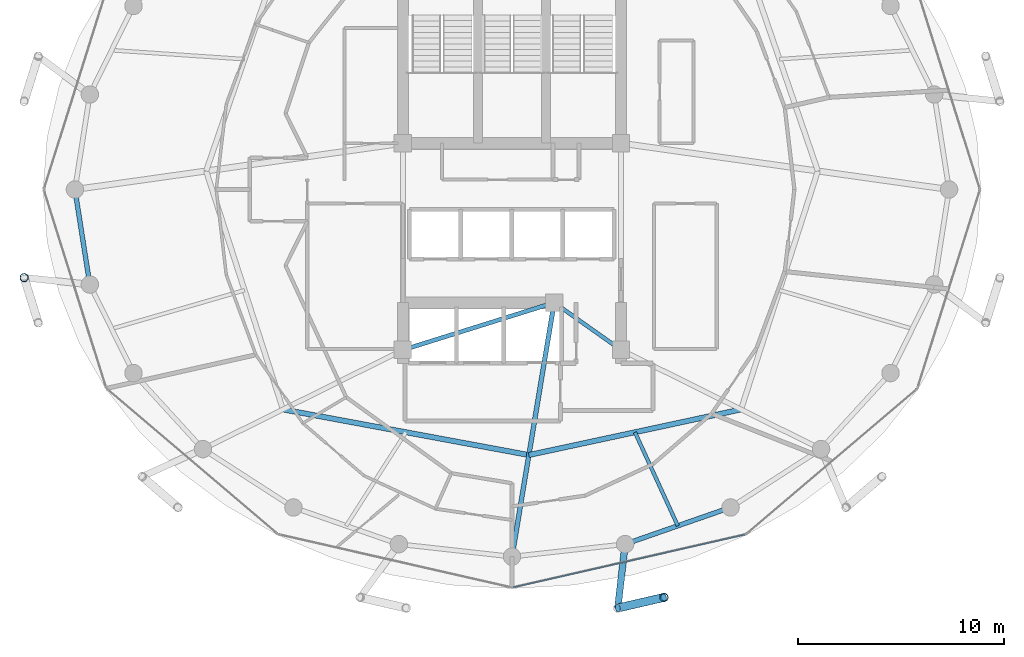
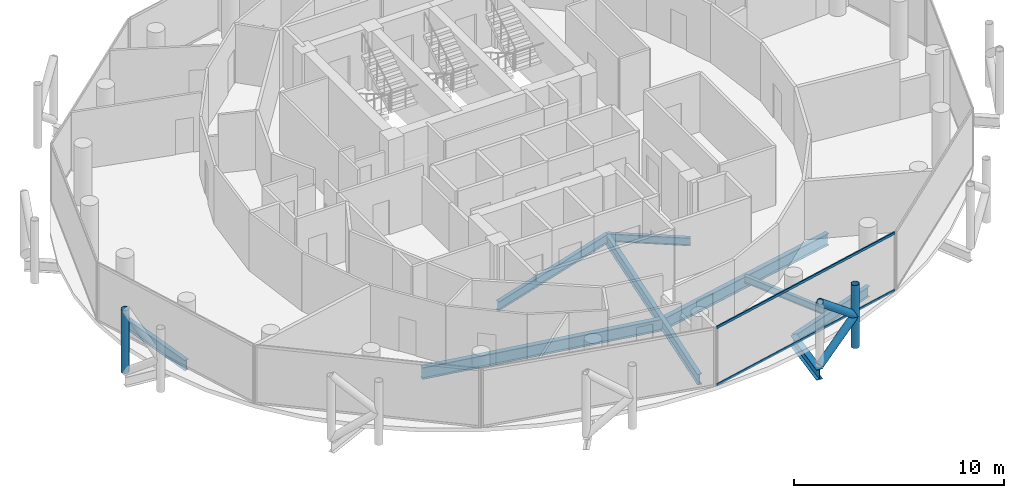
# One storey, part 6 of 27: 9 beams, 6 members, 1 element without a shape of its own.
"""IFC4 building model written with IfcOpenShell, lengths in metres."""

from ifc_helpers import new_model, si_unit, direction, frame, origin, origin_2d, place, context, subcontext, project, spatial, hollow_rectangle, hollow_circle, i_section, extrude, material, layer, layer_set, material_profile, profile_set, type_object, element, aggregate, save


model = new_model("IFC4")

# Units and contexts
model_context = context("Model", 3, precision=1e-05, world=origin(), true_north=direction((0.0, 1.0)))
body_context = subcontext(model_context, "Body", "Model", "MODEL_VIEW")
ifc_project = project(units=[si_unit("LENGTHUNIT", "METRE"), si_unit("AREAUNIT", "SQUARE_METRE"), si_unit("VOLUMEUNIT", "CUBIC_METRE"), si_unit("PLANEANGLEUNIT", "RADIAN"), si_unit("MASSUNIT", "GRAM", prefix="KILO")], contexts=[model_context])

# Site, building, storey
site_placement = place(None, origin())
site = spatial("IfcSite", under=ifc_project, at=site_placement, CompositionType="ELEMENT")
building_placement = place(site_placement, origin())
building = spatial("IfcBuilding", under=site, at=building_placement, Name="Nuhasar Tower", CompositionType="ELEMENT")
storey_placement = place(building_placement, frame((0.0, 0.0, 251.949951171875)))
storey = spatial("IfcBuildingStorey", under=building, at=storey_placement, Name="L62", CompositionType="ELEMENT", Elevation=251.949951171875)

# Beams
ifc_material_1 = material(Name="Steel S355", Category="steel")
ifc_material_profile_1 = material_profile(ifc_material_1, i_section(OverallWidth=0.25390625, OverallDepth=0.68408203125, WebThickness=0.012451171875, FlangeThickness=0.018798828125, at=origin_2d()), Name="W27X94")
ifc_profile_set_1 = profile_set([ifc_material_profile_1], Name="Steel S355")
beam_type_1 = type_object("IfcBeamType", Name="BM-INRING-W27X94", PredefinedType="BEAM", material=ifc_profile_set_1)
beam_1_placement = place(storey_placement, frame((27.864013671875, 16.10693359375, -0.58203125), z_axis=(0.983238439987, -0.182324354193, 0.0), x_axis=(0.182324354193, 0.983238439987, 0.0)))
element("IfcBeam", 1, at=beam_1_placement, inside=storey, type_object=beam_type_1, Name="L62 Inner Header Beam 01", PredefinedType="BEAM", context=body_context, shape_type="SweptSolid", body=[
    extrude(i_section(OverallWidth=0.25390625, OverallDepth=0.68408203125, WebThickness=0.012451171875, FlangeThickness=0.018798828125, at=origin_2d()), origin(), (0.0, 0.0, 1.0), 12.159912109375),
])
beam_2_placement = place(storey_placement, frame((39.820068359375, 13.889892578125, -0.58203125), z_axis=(0.977676275959, 0.210116870876, 0.0), x_axis=(-0.210116870876, 0.977676275959, 0.0)))
element("IfcBeam", 2, at=beam_2_placement, inside=storey, type_object=beam_type_1, Name="L62 Inner Header Beam 02", PredefinedType="BEAM", context=body_context, shape_type="SweptSolid", body=[
    extrude(i_section(OverallWidth=0.25390625, OverallDepth=0.68408203125, WebThickness=0.012451171875, FlangeThickness=0.018798828125, at=origin_2d()), origin(), (0.0, 0.0, 1.0), 10.551513671875),
])
ifc_material_profile_2 = material_profile(ifc_material_1, i_section(OverallWidth=0.177978515625, OverallDepth=0.406005859375, WebThickness=0.0078125, FlangeThickness=0.0126953125, at=origin_2d()), Name="W16X40")
ifc_profile_set_2 = profile_set([ifc_material_profile_2], Name="Steel S355")
beam_type_2 = type_object("IfcBeamType", Name="BM-JST-W16X40", PredefinedType="JOIST", material=ifc_profile_set_2)
beam_3_placement = place(storey_placement, frame((44.97802734375, 14.998046875, -0.44287109375), z_axis=(0.416562288184, -0.909107177434, 0.0), x_axis=(0.909107177434, 0.416562288184, 0.0)))
element("IfcBeam", 3, at=beam_3_placement, inside=storey, type_object=beam_type_2, Name="L62 Secondary Floor Joist 02", PredefinedType="JOIST", context=body_context, shape_type="SweptSolid", body=[
    extrude(i_section(OverallWidth=0.177978515625, OverallDepth=0.406005859375, WebThickness=0.0078125, FlangeThickness=0.0126953125, at=origin_2d()), origin(), (0.0, 0.0, 1.0), 5.0029296875),
])
ifc_material_profile_3 = material_profile(ifc_material_1, i_section(OverallWidth=0.18994140625, OverallDepth=0.45703125, WebThickness=0.009033203125, FlangeThickness=0.014404296875, at=origin_2d()), Name="W18X50")
ifc_profile_set_3 = profile_set([ifc_material_profile_3], Name="Steel S355")
beam_type_3 = type_object("IfcBeamType", Name="BM-RAD-W18X50", PredefinedType="BEAM", material=ifc_profile_set_3)
beam_4_placement = place(storey_placement, frame((41.050048828125, 21.300048828125, -0.468017578125), z_axis=(0.816265428953, -0.577677028708, 0.0), x_axis=(0.577677028708, 0.816265428953, 0.0)))
element("IfcBeam", 4, at=beam_4_placement, inside=storey, type_object=beam_type_3, Name="L62 Core Ring Girder 2", PredefinedType="BEAM", context=body_context, shape_type="SweptSolid", body=[
    extrude(i_section(OverallWidth=0.18994140625, OverallDepth=0.45703125, WebThickness=0.009033203125, FlangeThickness=0.014404296875, at=origin_2d()), origin(), (0.0, 0.0, 1.0), 3.9814453125),
])
ifc_material_profile_4 = material_profile(ifc_material_1, i_section(OverallWidth=0.208984375, OverallDepth=0.528076171875, WebThickness=0.009521484375, FlangeThickness=0.01318359375, at=origin_2d()), Name="W21X55")
ifc_profile_set_4 = profile_set([ifc_material_profile_4], Name="Steel S355")
beam_type_4 = type_object("IfcBeamType", Name="BM-RAD-W21X55", PredefinedType="BEAM", material=ifc_profile_set_4)
beam_5_placement = place(storey_placement, frame((33.699951171875, 19.0, -0.50390625), z_axis=(0.954363709454, 0.298646798205, 0.0), x_axis=(-0.298646798205, 0.954363709454, 0.0)))
element("IfcBeam", 5, at=beam_5_placement, inside=storey, type_object=beam_type_4, Name="L62 Core Ring Girder 1", PredefinedType="BEAM", context=body_context, shape_type="SweptSolid", body=[
    extrude(i_section(OverallWidth=0.208984375, OverallDepth=0.528076171875, WebThickness=0.009521484375, FlangeThickness=0.01318359375, at=origin_2d()), origin(), (0.0, 0.0, 1.0), 7.70166015625),
])
ifc_material_profile_5 = material_profile(ifc_material_1, i_section(OverallWidth=0.22900390625, OverallDepth=0.612060546875, WebThickness=0.011962890625, FlangeThickness=0.01953125, at=origin_2d()), Name="W24X84")
ifc_profile_set_5 = profile_set([ifc_material_profile_5], Name="Steel S355")
beam_type_5 = type_object("IfcBeamType", Name="BM-RAD-W24X84", PredefinedType="BEAM", material=ifc_profile_set_5)
beam_6_placement = place(storey_placement, frame((41.050048828125, 21.300048828125, -0.5458984375), z_axis=(-0.163753822517, -0.98650123447, 0.0), x_axis=(0.98650123447, -0.163753822517, 0.0)))
element("IfcBeam", 6, at=beam_6_placement, inside=storey, type_object=beam_type_5, Name="L62 Radial Floor Girder 02", PredefinedType="BEAM", context=body_context, shape_type="SweptSolid", body=[
    extrude(i_section(OverallWidth=0.22900390625, OverallDepth=0.612060546875, WebThickness=0.011962890625, FlangeThickness=0.01953125, at=origin_2d()), origin(), (0.0, 0.0, 1.0), 12.51904296875),
])
ifc_material_profile_6 = material_profile(ifc_material_1, i_section(OverallWidth=0.22802734375, OverallDepth=0.60791015625, WebThickness=0.01123046875, FlangeThickness=0.017333984375, at=origin_2d()), Name="W24X76")
ifc_profile_set_6 = profile_set([ifc_material_profile_6], Name="Steel S355")
beam_type_6 = type_object("IfcBeamType", Name="BM-RING-W24X76", PredefinedType="SPANDREL", material=ifc_profile_set_6)
beam_7_placement = place(storey_placement, frame((17.75, 26.800048828125, -0.5439453125), z_axis=(0.154841886404, -0.987939264436, 0.0), x_axis=(0.987939264436, 0.154841886404, 0.0)))
element("IfcBeam", 7, at=beam_7_placement, inside=storey, type_object=beam_type_6, Name="L62 Perimeter Ring Spandrel 13", PredefinedType="SPANDREL", context=body_context, shape_type="SweptSolid", body=[
    extrude(i_section(OverallWidth=0.22802734375, OverallDepth=0.60791015625, WebThickness=0.01123046875, FlangeThickness=0.017333984375, at=origin_2d()), origin(), (0.0, 0.0, 1.0), 4.676513671875),
])
beam_8_placement = place(storey_placement, frame((44.5, 9.55810546875, -0.5439453125), z_axis=(0.944476764686, 0.328578211342, 0.0), x_axis=(-0.328578211342, 0.944476764686, 0.0)))
element("IfcBeam", 8, at=beam_8_placement, inside=storey, type_object=beam_type_6, Name="L62 Perimeter Ring Spandrel 20", PredefinedType="SPANDREL", context=body_context, shape_type="SweptSolid", body=[
    extrude(i_section(OverallWidth=0.22802734375, OverallDepth=0.60791015625, WebThickness=0.01123046875, FlangeThickness=0.017333984375, at=origin_2d()), origin(), (0.0, 0.0, 1.0), 5.42626953125),
])
ifc_material_profile_7 = material_profile(ifc_material_1, i_section(OverallWidth=0.323974609375, OverallDepth=0.611083984375, WebThickness=0.0126953125, FlangeThickness=0.01904296875, at=origin_2d()), Name="W24X104")
ifc_profile_set_7 = profile_set([ifc_material_profile_7], Name="Steel S355")
beam_type_7 = type_object("IfcBeamType", Name="BM-TIE-W24X104", PredefinedType="BEAM", material=ifc_profile_set_7)
beam_9_placement = place(storey_placement, frame((44.5, 9.55810546875, -0.544921875), z_axis=(-0.114123371392, -0.993466585297, 0.0), x_axis=(0.993466585297, -0.114123371392, 0.0)))
element("IfcBeam", 9, at=beam_9_placement, inside=storey, type_object=beam_type_7, Name="L62 Exoskeleton Node Tie Beam 10", PredefinedType="BEAM", context=body_context, shape_type="SweptSolid", body=[
    extrude(i_section(OverallWidth=0.323974609375, OverallDepth=0.611083984375, WebThickness=0.0126953125, FlangeThickness=0.01904296875, at=origin_2d()), origin(), (0.0, 0.0, 1.0), 3.127685546875),
])

# Curtain wall, members
ifc_material_2 = material(Name="Aluminium 6063-T6", Category="aluminium")
ifc_layer = layer(ifc_material_2, 0.18994140625)
ifc_layer_set = layer_set([ifc_layer], Name="Aluminium 6063-T6")
curtain_wall_type = type_object("IfcCurtainWallType", Name="CW-Z3-RES", PredefinedType="NOTDEFINED", material=ifc_layer_set)
curtain_wall_placement = place(storey_placement, origin())
curtain_wall = element("IfcCurtainWall", 10, at=curtain_wall_placement, inside=storey, type_object=curtain_wall_type, Name="L62 Unitised Curtain Wall 10", PredefinedType="NOTDEFINED")
ifc_material_profile_8 = material_profile(ifc_material_2, hollow_rectangle(XDim=0.06494140625, YDim=0.139892578125, WallThickness=0.00439453125, at=origin_2d()), Name="CWT-4")
ifc_profile_set_8 = profile_set([ifc_material_profile_8], Name="Aluminium 6063-T6")
member_type_1 = type_object("IfcMemberType", Name="CW-TRN-S4", PredefinedType="USERDEFINED", material=ifc_profile_set_8)
member_1_placement = place(storey_placement, frame((39.0634765625, 7.454345703125, 0.032470703125), z_axis=(0.974989487479, 0.222250982686, 0.0), x_axis=(-0.222250982686, 0.974989487479, 0.0)))
member_1 = element("IfcMember", 11, at=member_1_placement, type_object=member_type_1, Name="CW-Z3 transom 1.1", ObjectType="TRANSOM", PredefinedType="USERDEFINED", context=body_context, shape_type="SweptSolid", body=[
    extrude(hollow_rectangle(XDim=0.06494140625, YDim=0.139892578125, WallThickness=0.00439453125, at=origin_2d()), origin(), (0.0, 0.0, 1.0), 11.541748046875),
])
member_2_placement = place(storey_placement, frame((39.0634765625, 7.454345703125, 3.357666015625), z_axis=(0.974989487479, 0.222250982686, 0.0), x_axis=(-0.222250982686, 0.974989487479, 0.0)))
member_2 = element("IfcMember", 12, at=member_2_placement, type_object=member_type_1, Name="CW-Z3 transom 1.2", ObjectType="TRANSOM", PredefinedType="USERDEFINED", context=body_context, shape_type="SweptSolid", body=[
    extrude(hollow_rectangle(XDim=0.06494140625, YDim=0.139892578125, WallThickness=0.00439453125, at=origin_2d()), origin(), (0.0, 0.0, 1.0), 11.541748046875),
])
aggregate(curtain_wall, [member_1, member_2])

# Members
ifc_material_3 = material(Name="Steel S460", Category="steel")
ifc_material_profile_9 = material_profile(ifc_material_3, hollow_circle(Radius=0.203125, WallThickness=0.01904296875, at=origin_2d()), Name="HSS406.4X19.1")
ifc_profile_set_9 = profile_set([ifc_material_profile_9], Name="Steel S460")
member_type_2 = type_object("IfcMemberType", Name="EXO-BRONZE-406", PredefinedType="BRACE", material=ifc_profile_set_9)
for number, where, z_axis, x_axis, name in (
    (13, (15.281982421875, 22.513916015625, 0.0), (0.0, 0.0, 1.0), (1.0, 0.0, 0.0), "L62 Exoskeleton Chord Column EC-07A"),
    (14, (46.384033203125, 6.967041015625, 0.0), (0.0, 0.0, 1.0), (1.0, 0.0, 0.0), "L62 Exoskeleton Chord Column EC-10B"),
):
    element("IfcMember", number, at=place(storey_placement, frame(where, z_axis=z_axis, x_axis=x_axis)), inside=storey, type_object=member_type_2, Name=name, PredefinedType="BRACE", context=body_context, shape_type="SweptSolid", body=[
        extrude(hollow_circle(Radius=0.203125, WallThickness=0.01904296875, at=origin_2d()), origin(), (0.0, 0.0, 1.0), 3.650146484375),
    ])
member_3_placement = place(storey_placement, frame((44.14306640625, 6.450927734375, 0.0), z_axis=(0.76333158458, 0.175801609086, 0.621625841021), x_axis=(-0.224433035437, 0.97448951385, 0.0)))
element("IfcMember", 15, at=member_3_placement, inside=storey, type_object=member_type_2, Name="L62 Bronze Diagrid Brace W1-10", PredefinedType="BRACE", context=body_context, shape_type="SweptSolid", body=[
    extrude(hollow_circle(Radius=0.203125, WallThickness=0.01904296875, at=origin_2d()), origin(), (0.0, 0.0, 1.0), 2.935791015625),
])
member_4_placement = place(storey_placement, frame((46.384033203125, 6.967041015625, 1.824951171875), z_axis=(-0.763292124721, -0.175792521153, 0.621676862884), x_axis=(0.224433035437, -0.97448951385, 0.0)))
element("IfcMember", 16, at=member_4_placement, inside=storey, type_object=member_type_2, Name="L62 Bronze Diagrid Brace W2-10", PredefinedType="BRACE", context=body_context, shape_type="SweptSolid", body=[
    extrude(hollow_circle(Radius=0.203125, WallThickness=0.01904296875, at=origin_2d()), origin(), (0.0, 0.0, 1.0), 2.93603515625),
])

save(model, "model.ifc")
